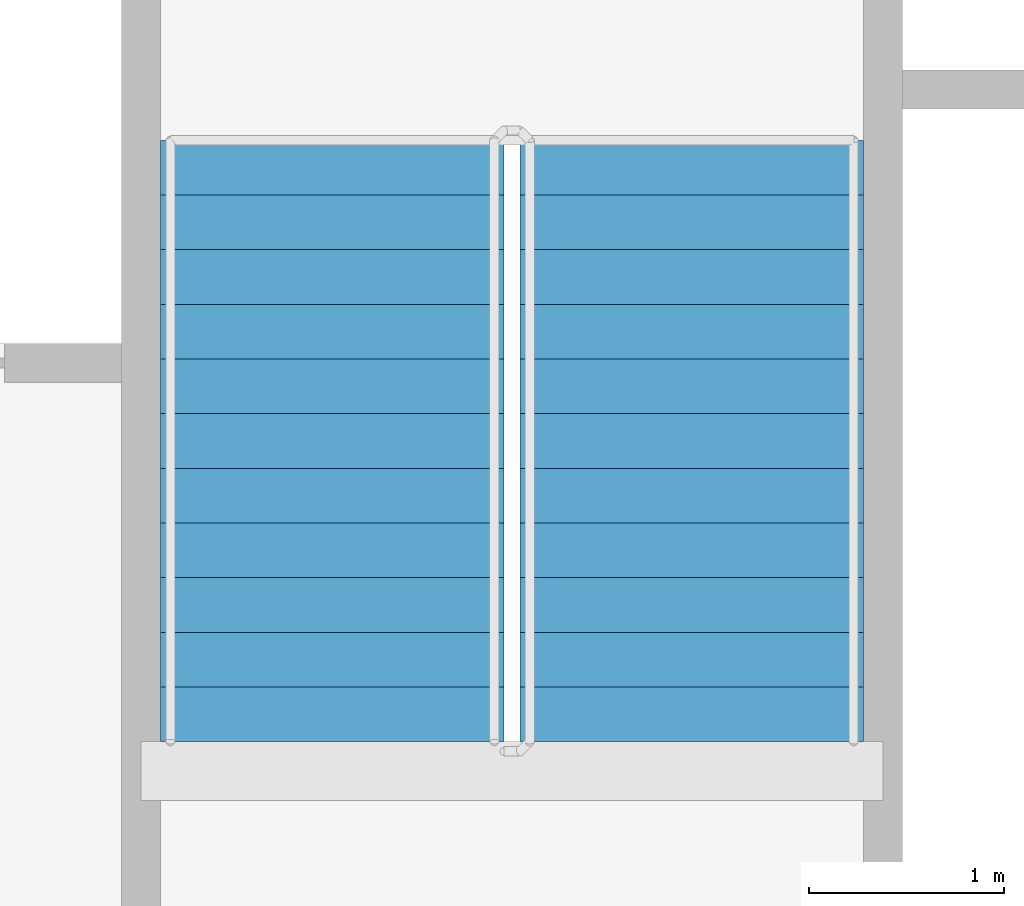
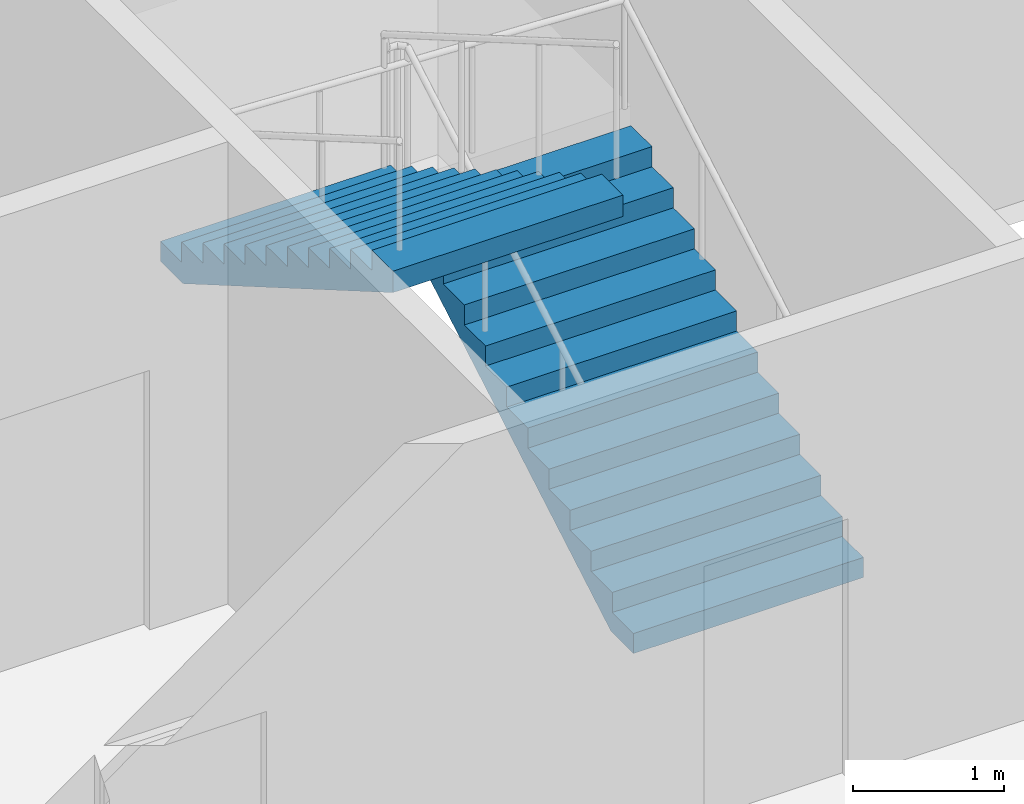
# One storey, part 9 of 14: 2 stair flights, 1 element without a shape of its own.
"""IFC4 building model written with IfcOpenShell, lengths in metres."""

from ifc_helpers import new_model, si_unit, direction, frame, origin, place, context, subcontext, project, spatial, faceted_brep, material, type_object, element, aggregate, save


model = new_model("IFC4")

# Units and contexts
model_context = context("Model", 3, precision=1e-05, world=origin(), true_north=direction((0.0, 1.0)))
body_context = subcontext(model_context, "Body", "Model", "MODEL_VIEW")
ifc_project = project(units=[si_unit("LENGTHUNIT", "METRE"), si_unit("AREAUNIT", "SQUARE_METRE"), si_unit("VOLUMEUNIT", "CUBIC_METRE"), si_unit("PLANEANGLEUNIT", "RADIAN"), si_unit("MASSUNIT", "GRAM", prefix="KILO")], contexts=[model_context])

# Site, building, storey
site_placement = place(None, origin())
site = spatial("IfcSite", under=ifc_project, at=site_placement, CompositionType="ELEMENT")
building_placement = place(site_placement, origin())
building = spatial("IfcBuilding", under=site, at=building_placement, Name="Tarsis Ring Headquarters", CompositionType="ELEMENT")
storey_placement = place(building_placement, frame((0.0, 0.0, 259.10009765625)))
storey = spatial("IfcBuildingStorey", under=building, at=storey_placement, Name="L60", CompositionType="ELEMENT", Elevation=259.10009765625)

# Stair, stair flights
ifc_material_1 = material(Name="Core stair 1760")
stair_type = type_object("IfcStairType", Name="Core stair 1760", PredefinedType="HALF_TURN_STAIR", material=ifc_material_1)
stair_placement = place(storey_placement, origin())
stair = element("IfcStair", 1, at=stair_placement, inside=storey, type_object=stair_type, Name="L60 Exit stair B", PredefinedType="HALF_TURN_STAIR")
ifc_material_2 = material(Name="Concrete C40/50", Category="concrete")
stair_flight_type = type_object("IfcStairFlightType", Name="Core stair flight 1760", PredefinedType="STRAIGHT", material=ifc_material_2)
stair_flight_1_placement = place(storey_placement, frame((5.419921875, 3.659912109375, 0.0), z_axis=(0.0, 0.0, 1.0), x_axis=(0.0, 1.0, 0.0)))
stair_flight_1 = element("IfcStairFlight", 2, at=stair_flight_1_placement, type_object=stair_flight_type, Name="Stair ST2 flight 1", NumberOfRisers=12, NumberOfTreads=11, PredefinedType="STRAIGHT", RiserHeight=0.1625, TreadLength=0.28, context=body_context, shape_type="Brep", body=[
    faceted_brep([(0.0, 0.8798828125, 0.0), (0.0, 0.8798828125, 0.16259765625), (0.280029296875, 0.8798828125, 0.16259765625), (0.280029296875, 0.8798828125, 0.324951171875), (0.56005859375, 0.8798828125, 0.324951171875), (0.56005859375, 0.8798828125, 0.487548828125), (0.840087890625, 0.8798828125, 0.487548828125), (0.840087890625, 0.8798828125, 0.64990234375), (1.1201171875, 0.8798828125, 0.64990234375), (1.1201171875, 0.8798828125, 0.8125), (1.39990234375, 0.8798828125, 0.8125), (1.39990234375, 0.8798828125, 0.97509765625), (1.679931640625, 0.8798828125, 0.97509765625), (1.679931640625, 0.8798828125, 1.137451171875), (1.9599609375, 0.8798828125, 1.137451171875), (1.9599609375, 0.8798828125, 1.300048828125), (2.239990234375, 0.8798828125, 1.300048828125), (2.239990234375, 0.8798828125, 1.46240234375), (2.52001953125, 0.8798828125, 1.46240234375), (2.52001953125, 0.8798828125, 1.625), (2.800048828125, 0.8798828125, 1.625), (2.800048828125, 0.8798828125, 1.78759765625), (3.080078125, 0.8798828125, 1.78759765625), (3.080078125, 0.8798828125, 1.6142578125), (0.298583984375, 0.8798828125, 0.0), (0.298583984375, -0.8798828125, 0.0), (3.080078125, -0.8798828125, 1.6142578125), (3.080078125, -0.8798828125, 1.78759765625), (2.800048828125, -0.8798828125, 1.78759765625), (2.800048828125, -0.8798828125, 1.625), (2.52001953125, -0.8798828125, 1.625), (2.52001953125, -0.8798828125, 1.46240234375), (2.239990234375, -0.8798828125, 1.46240234375), (2.239990234375, -0.8798828125, 1.300048828125), (1.9599609375, -0.8798828125, 1.300048828125), (1.9599609375, -0.8798828125, 1.137451171875), (1.679931640625, -0.8798828125, 1.137451171875), (1.679931640625, -0.8798828125, 0.97509765625), (1.39990234375, -0.8798828125, 0.97509765625), (1.39990234375, -0.8798828125, 0.8125), (1.1201171875, -0.8798828125, 0.8125), (1.1201171875, -0.8798828125, 0.64990234375), (0.840087890625, -0.8798828125, 0.64990234375), (0.840087890625, -0.8798828125, 0.487548828125), (0.56005859375, -0.8798828125, 0.487548828125), (0.56005859375, -0.8798828125, 0.324951171875), (0.280029296875, -0.8798828125, 0.324951171875), (0.280029296875, -0.8798828125, 0.16259765625), (0.0, -0.8798828125, 0.16259765625), (0.0, -0.8798828125, 0.0), (0.0, -0.43994140625, 0.16259765625), (0.0, -0.43994140625, 0.0), (0.0, 0.0, 0.16259765625), (0.0, 0.0, 0.0), (0.0, 0.43994140625, 0.16259765625), (0.0, 0.43994140625, 0.0), (0.280029296875, -0.43994140625, 0.16259765625), (0.280029296875, 0.0, 0.16259765625), (0.280029296875, 0.43994140625, 0.16259765625), (0.280029296875, -0.43994140625, 0.324951171875), (0.280029296875, 0.0, 0.324951171875), (0.280029296875, 0.43994140625, 0.324951171875), (0.56005859375, -0.43994140625, 0.324951171875), (0.56005859375, 0.0, 0.324951171875), (0.56005859375, 0.43994140625, 0.324951171875), (0.56005859375, -0.43994140625, 0.487548828125), (0.56005859375, 0.0, 0.487548828125), (0.56005859375, 0.43994140625, 0.487548828125), (0.840087890625, -0.43994140625, 0.487548828125), (0.840087890625, 0.0, 0.487548828125), (0.840087890625, 0.43994140625, 0.487548828125), (0.840087890625, -0.43994140625, 0.64990234375), (0.840087890625, 0.0, 0.64990234375), (0.840087890625, 0.43994140625, 0.64990234375), (1.1201171875, -0.43994140625, 0.64990234375), (1.1201171875, 0.0, 0.64990234375), (1.1201171875, 0.43994140625, 0.64990234375), (1.1201171875, -0.43994140625, 0.8125), (1.1201171875, 0.0, 0.8125), (1.1201171875, 0.43994140625, 0.8125), (1.39990234375, -0.43994140625, 0.8125), (1.39990234375, 0.0, 0.8125), (1.39990234375, 0.43994140625, 0.8125), (1.39990234375, -0.43994140625, 0.97509765625), (1.39990234375, 0.0, 0.97509765625), (1.39990234375, 0.43994140625, 0.97509765625), (1.679931640625, -0.43994140625, 0.97509765625), (1.679931640625, 0.0, 0.97509765625), (1.679931640625, 0.43994140625, 0.97509765625), (1.679931640625, -0.43994140625, 1.137451171875), (1.679931640625, 0.0, 1.137451171875), (1.679931640625, 0.43994140625, 1.137451171875), (1.9599609375, -0.43994140625, 1.137451171875), (1.9599609375, 0.0, 1.137451171875), (1.9599609375, 0.43994140625, 1.137451171875), (1.9599609375, -0.43994140625, 1.300048828125), (1.9599609375, 0.0, 1.300048828125), (1.9599609375, 0.43994140625, 1.300048828125), (2.239990234375, -0.43994140625, 1.300048828125), (2.239990234375, 0.0, 1.300048828125), (2.239990234375, 0.43994140625, 1.300048828125), (2.239990234375, -0.43994140625, 1.46240234375), (2.239990234375, 0.0, 1.46240234375), (2.239990234375, 0.43994140625, 1.46240234375), (2.52001953125, -0.43994140625, 1.46240234375), (2.52001953125, 0.0, 1.46240234375), (2.52001953125, 0.43994140625, 1.46240234375), (2.52001953125, -0.43994140625, 1.625), (2.52001953125, 0.0, 1.625), (2.52001953125, 0.43994140625, 1.625), (2.800048828125, -0.43994140625, 1.625), (2.800048828125, 0.0, 1.625), (2.800048828125, 0.43994140625, 1.625), (2.800048828125, -0.43994140625, 1.78759765625), (2.800048828125, 0.0, 1.78759765625), (2.800048828125, 0.43994140625, 1.78759765625), (3.080078125, -0.43994140625, 1.78759765625), (3.080078125, 0.0, 1.78759765625), (3.080078125, 0.43994140625, 1.78759765625), (3.080078125, -0.43994140625, 1.6142578125), (3.080078125, 0.0, 1.6142578125), (3.080078125, 0.43994140625, 1.6142578125), (0.298583984375, -0.43994140625, 0.0), (0.298583984375, 0.0, 0.0), (0.298583984375, 0.43994140625, 0.0)], [[[0, 1, 2, 3, 4, 5, 6, 7, 8, 9, 10, 11, 12, 13, 14, 15, 16, 17, 18, 19, 20, 21, 22, 23, 24]], [[25, 26, 27, 28, 29, 30, 31, 32, 33, 34, 35, 36, 37, 38, 39, 40, 41, 42, 43, 44, 45, 46, 47, 48, 49]], [[49, 48, 50, 51]], [[51, 50, 52, 53]], [[53, 52, 54, 55]], [[55, 54, 1, 0]], [[48, 47, 56, 50]], [[50, 56, 57, 52]], [[52, 57, 58, 54]], [[54, 58, 2, 1]], [[47, 46, 59, 56]], [[56, 59, 60, 57]], [[57, 60, 61, 58]], [[58, 61, 3, 2]], [[46, 45, 62, 59]], [[59, 62, 63, 60]], [[60, 63, 64, 61]], [[61, 64, 4, 3]], [[45, 44, 65, 62]], [[62, 65, 66, 63]], [[63, 66, 67, 64]], [[64, 67, 5, 4]], [[44, 43, 68, 65]], [[65, 68, 69, 66]], [[66, 69, 70, 67]], [[67, 70, 6, 5]], [[43, 42, 71, 68]], [[68, 71, 72, 69]], [[69, 72, 73, 70]], [[70, 73, 7, 6]], [[42, 41, 74, 71]], [[71, 74, 75, 72]], [[72, 75, 76, 73]], [[73, 76, 8, 7]], [[41, 40, 77, 74]], [[74, 77, 78, 75]], [[75, 78, 79, 76]], [[76, 79, 9, 8]], [[40, 39, 80, 77]], [[77, 80, 81, 78]], [[78, 81, 82, 79]], [[79, 82, 10, 9]], [[39, 38, 83, 80]], [[80, 83, 84, 81]], [[81, 84, 85, 82]], [[82, 85, 11, 10]], [[38, 37, 86, 83]], [[83, 86, 87, 84]], [[84, 87, 88, 85]], [[85, 88, 12, 11]], [[37, 36, 89, 86]], [[86, 89, 90, 87]], [[87, 90, 91, 88]], [[88, 91, 13, 12]], [[36, 35, 92, 89]], [[89, 92, 93, 90]], [[90, 93, 94, 91]], [[91, 94, 14, 13]], [[35, 34, 95, 92]], [[92, 95, 96, 93]], [[93, 96, 97, 94]], [[94, 97, 15, 14]], [[34, 33, 98, 95]], [[95, 98, 99, 96]], [[96, 99, 100, 97]], [[97, 100, 16, 15]], [[33, 32, 101, 98]], [[98, 101, 102, 99]], [[99, 102, 103, 100]], [[100, 103, 17, 16]], [[32, 31, 104, 101]], [[101, 104, 105, 102]], [[102, 105, 106, 103]], [[103, 106, 18, 17]], [[31, 30, 107, 104]], [[104, 107, 108, 105]], [[105, 108, 109, 106]], [[106, 109, 19, 18]], [[30, 29, 110, 107]], [[107, 110, 111, 108]], [[108, 111, 112, 109]], [[109, 112, 20, 19]], [[29, 28, 113, 110]], [[110, 113, 114, 111]], [[111, 114, 115, 112]], [[112, 115, 21, 20]], [[28, 27, 116, 113]], [[113, 116, 117, 114]], [[114, 117, 118, 115]], [[115, 118, 22, 21]], [[27, 26, 119, 116]], [[116, 119, 120, 117]], [[117, 120, 121, 118]], [[118, 121, 23, 22]], [[26, 25, 122, 119]], [[119, 122, 123, 120]], [[120, 123, 124, 121]], [[121, 124, 24, 23]], [[25, 49, 51, 122]], [[122, 51, 53, 123]], [[123, 53, 55, 124]], [[124, 55, 0, 24]]]),
])
stair_flight_2_placement = place(storey_placement, frame((3.580078125, 6.739990234375, 1.949951171875), z_axis=(0.0, 0.0, 1.0), x_axis=(0.0, -1.0, 0.0)))
stair_flight_2 = element("IfcStairFlight", 3, at=stair_flight_2_placement, type_object=stair_flight_type, Name="Stair ST2 flight 2", NumberOfRisers=12, NumberOfTreads=11, PredefinedType="STRAIGHT", RiserHeight=0.1625, TreadLength=0.28, context=body_context, shape_type="Brep", body=[
    faceted_brep([(0.0, 0.8798828125, 0.0), (0.0, 0.8798828125, 0.16259765625), (0.280029296875, 0.8798828125, 0.16259765625), (0.280029296875, 0.8798828125, 0.324951171875), (0.56005859375, 0.8798828125, 0.324951171875), (0.56005859375, 0.8798828125, 0.487548828125), (0.840087890625, 0.8798828125, 0.487548828125), (0.840087890625, 0.8798828125, 0.64990234375), (1.1201171875, 0.8798828125, 0.64990234375), (1.1201171875, 0.8798828125, 0.8125), (1.39990234375, 0.8798828125, 0.8125), (1.39990234375, 0.8798828125, 0.97509765625), (1.679931640625, 0.8798828125, 0.97509765625), (1.679931640625, 0.8798828125, 1.137451171875), (1.9599609375, 0.8798828125, 1.137451171875), (1.9599609375, 0.8798828125, 1.300048828125), (2.239990234375, 0.8798828125, 1.300048828125), (2.239990234375, 0.8798828125, 1.46240234375), (2.52001953125, 0.8798828125, 1.46240234375), (2.52001953125, 0.8798828125, 1.625), (2.800048828125, 0.8798828125, 1.625), (2.800048828125, 0.8798828125, 1.78759765625), (3.080078125, 0.8798828125, 1.78759765625), (3.080078125, 0.8798828125, 1.6142578125), (0.298583984375, 0.8798828125, 0.0), (0.298583984375, -0.8798828125, 0.0), (3.080078125, -0.8798828125, 1.6142578125), (3.080078125, -0.8798828125, 1.78759765625), (2.800048828125, -0.8798828125, 1.78759765625), (2.800048828125, -0.8798828125, 1.625), (2.52001953125, -0.8798828125, 1.625), (2.52001953125, -0.8798828125, 1.46240234375), (2.239990234375, -0.8798828125, 1.46240234375), (2.239990234375, -0.8798828125, 1.300048828125), (1.9599609375, -0.8798828125, 1.300048828125), (1.9599609375, -0.8798828125, 1.137451171875), (1.679931640625, -0.8798828125, 1.137451171875), (1.679931640625, -0.8798828125, 0.97509765625), (1.39990234375, -0.8798828125, 0.97509765625), (1.39990234375, -0.8798828125, 0.8125), (1.1201171875, -0.8798828125, 0.8125), (1.1201171875, -0.8798828125, 0.64990234375), (0.840087890625, -0.8798828125, 0.64990234375), (0.840087890625, -0.8798828125, 0.487548828125), (0.56005859375, -0.8798828125, 0.487548828125), (0.56005859375, -0.8798828125, 0.324951171875), (0.280029296875, -0.8798828125, 0.324951171875), (0.280029296875, -0.8798828125, 0.16259765625), (0.0, -0.8798828125, 0.16259765625), (0.0, -0.8798828125, 0.0), (0.0, -0.43994140625, 0.16259765625), (0.0, -0.43994140625, 0.0), (0.0, 0.0, 0.16259765625), (0.0, 0.0, 0.0), (0.0, 0.43994140625, 0.16259765625), (0.0, 0.43994140625, 0.0), (0.280029296875, -0.43994140625, 0.16259765625), (0.280029296875, 0.0, 0.16259765625), (0.280029296875, 0.43994140625, 0.16259765625), (0.280029296875, -0.43994140625, 0.324951171875), (0.280029296875, 0.0, 0.324951171875), (0.280029296875, 0.43994140625, 0.324951171875), (0.56005859375, -0.43994140625, 0.324951171875), (0.56005859375, 0.0, 0.324951171875), (0.56005859375, 0.43994140625, 0.324951171875), (0.56005859375, -0.43994140625, 0.487548828125), (0.56005859375, 0.0, 0.487548828125), (0.56005859375, 0.43994140625, 0.487548828125), (0.840087890625, -0.43994140625, 0.487548828125), (0.840087890625, 0.0, 0.487548828125), (0.840087890625, 0.43994140625, 0.487548828125), (0.840087890625, -0.43994140625, 0.64990234375), (0.840087890625, 0.0, 0.64990234375), (0.840087890625, 0.43994140625, 0.64990234375), (1.1201171875, -0.43994140625, 0.64990234375), (1.1201171875, 0.0, 0.64990234375), (1.1201171875, 0.43994140625, 0.64990234375), (1.1201171875, -0.43994140625, 0.8125), (1.1201171875, 0.0, 0.8125), (1.1201171875, 0.43994140625, 0.8125), (1.39990234375, -0.43994140625, 0.8125), (1.39990234375, 0.0, 0.8125), (1.39990234375, 0.43994140625, 0.8125), (1.39990234375, -0.43994140625, 0.97509765625), (1.39990234375, 0.0, 0.97509765625), (1.39990234375, 0.43994140625, 0.97509765625), (1.679931640625, -0.43994140625, 0.97509765625), (1.679931640625, 0.0, 0.97509765625), (1.679931640625, 0.43994140625, 0.97509765625), (1.679931640625, -0.43994140625, 1.137451171875), (1.679931640625, 0.0, 1.137451171875), (1.679931640625, 0.43994140625, 1.137451171875), (1.9599609375, -0.43994140625, 1.137451171875), (1.9599609375, 0.0, 1.137451171875), (1.9599609375, 0.43994140625, 1.137451171875), (1.9599609375, -0.43994140625, 1.300048828125), (1.9599609375, 0.0, 1.300048828125), (1.9599609375, 0.43994140625, 1.300048828125), (2.239990234375, -0.43994140625, 1.300048828125), (2.239990234375, 0.0, 1.300048828125), (2.239990234375, 0.43994140625, 1.300048828125), (2.239990234375, -0.43994140625, 1.46240234375), (2.239990234375, 0.0, 1.46240234375), (2.239990234375, 0.43994140625, 1.46240234375), (2.52001953125, -0.43994140625, 1.46240234375), (2.52001953125, 0.0, 1.46240234375), (2.52001953125, 0.43994140625, 1.46240234375), (2.52001953125, -0.43994140625, 1.625), (2.52001953125, 0.0, 1.625), (2.52001953125, 0.43994140625, 1.625), (2.800048828125, -0.43994140625, 1.625), (2.800048828125, 0.0, 1.625), (2.800048828125, 0.43994140625, 1.625), (2.800048828125, -0.43994140625, 1.78759765625), (2.800048828125, 0.0, 1.78759765625), (2.800048828125, 0.43994140625, 1.78759765625), (3.080078125, -0.43994140625, 1.78759765625), (3.080078125, 0.0, 1.78759765625), (3.080078125, 0.43994140625, 1.78759765625), (3.080078125, -0.43994140625, 1.6142578125), (3.080078125, 0.0, 1.6142578125), (3.080078125, 0.43994140625, 1.6142578125), (0.298583984375, -0.43994140625, 0.0), (0.298583984375, 0.0, 0.0), (0.298583984375, 0.43994140625, 0.0)], [[[0, 1, 2, 3, 4, 5, 6, 7, 8, 9, 10, 11, 12, 13, 14, 15, 16, 17, 18, 19, 20, 21, 22, 23, 24]], [[25, 26, 27, 28, 29, 30, 31, 32, 33, 34, 35, 36, 37, 38, 39, 40, 41, 42, 43, 44, 45, 46, 47, 48, 49]], [[49, 48, 50, 51]], [[51, 50, 52, 53]], [[53, 52, 54, 55]], [[55, 54, 1, 0]], [[48, 47, 56, 50]], [[50, 56, 57, 52]], [[52, 57, 58, 54]], [[54, 58, 2, 1]], [[47, 46, 59, 56]], [[56, 59, 60, 57]], [[57, 60, 61, 58]], [[58, 61, 3, 2]], [[46, 45, 62, 59]], [[59, 62, 63, 60]], [[60, 63, 64, 61]], [[61, 64, 4, 3]], [[45, 44, 65, 62]], [[62, 65, 66, 63]], [[63, 66, 67, 64]], [[64, 67, 5, 4]], [[44, 43, 68, 65]], [[65, 68, 69, 66]], [[66, 69, 70, 67]], [[67, 70, 6, 5]], [[43, 42, 71, 68]], [[68, 71, 72, 69]], [[69, 72, 73, 70]], [[70, 73, 7, 6]], [[42, 41, 74, 71]], [[71, 74, 75, 72]], [[72, 75, 76, 73]], [[73, 76, 8, 7]], [[41, 40, 77, 74]], [[74, 77, 78, 75]], [[75, 78, 79, 76]], [[76, 79, 9, 8]], [[40, 39, 80, 77]], [[77, 80, 81, 78]], [[78, 81, 82, 79]], [[79, 82, 10, 9]], [[39, 38, 83, 80]], [[80, 83, 84, 81]], [[81, 84, 85, 82]], [[82, 85, 11, 10]], [[38, 37, 86, 83]], [[83, 86, 87, 84]], [[84, 87, 88, 85]], [[85, 88, 12, 11]], [[37, 36, 89, 86]], [[86, 89, 90, 87]], [[87, 90, 91, 88]], [[88, 91, 13, 12]], [[36, 35, 92, 89]], [[89, 92, 93, 90]], [[90, 93, 94, 91]], [[91, 94, 14, 13]], [[35, 34, 95, 92]], [[92, 95, 96, 93]], [[93, 96, 97, 94]], [[94, 97, 15, 14]], [[34, 33, 98, 95]], [[95, 98, 99, 96]], [[96, 99, 100, 97]], [[97, 100, 16, 15]], [[33, 32, 101, 98]], [[98, 101, 102, 99]], [[99, 102, 103, 100]], [[100, 103, 17, 16]], [[32, 31, 104, 101]], [[101, 104, 105, 102]], [[102, 105, 106, 103]], [[103, 106, 18, 17]], [[31, 30, 107, 104]], [[104, 107, 108, 105]], [[105, 108, 109, 106]], [[106, 109, 19, 18]], [[30, 29, 110, 107]], [[107, 110, 111, 108]], [[108, 111, 112, 109]], [[109, 112, 20, 19]], [[29, 28, 113, 110]], [[110, 113, 114, 111]], [[111, 114, 115, 112]], [[112, 115, 21, 20]], [[28, 27, 116, 113]], [[113, 116, 117, 114]], [[114, 117, 118, 115]], [[115, 118, 22, 21]], [[27, 26, 119, 116]], [[116, 119, 120, 117]], [[117, 120, 121, 118]], [[118, 121, 23, 22]], [[26, 25, 122, 119]], [[119, 122, 123, 120]], [[120, 123, 124, 121]], [[121, 124, 24, 23]], [[25, 49, 51, 122]], [[122, 51, 53, 123]], [[123, 53, 55, 124]], [[124, 55, 0, 24]]]),
])
aggregate(stair, [stair_flight_1, stair_flight_2])

save(model, "model.ifc")
